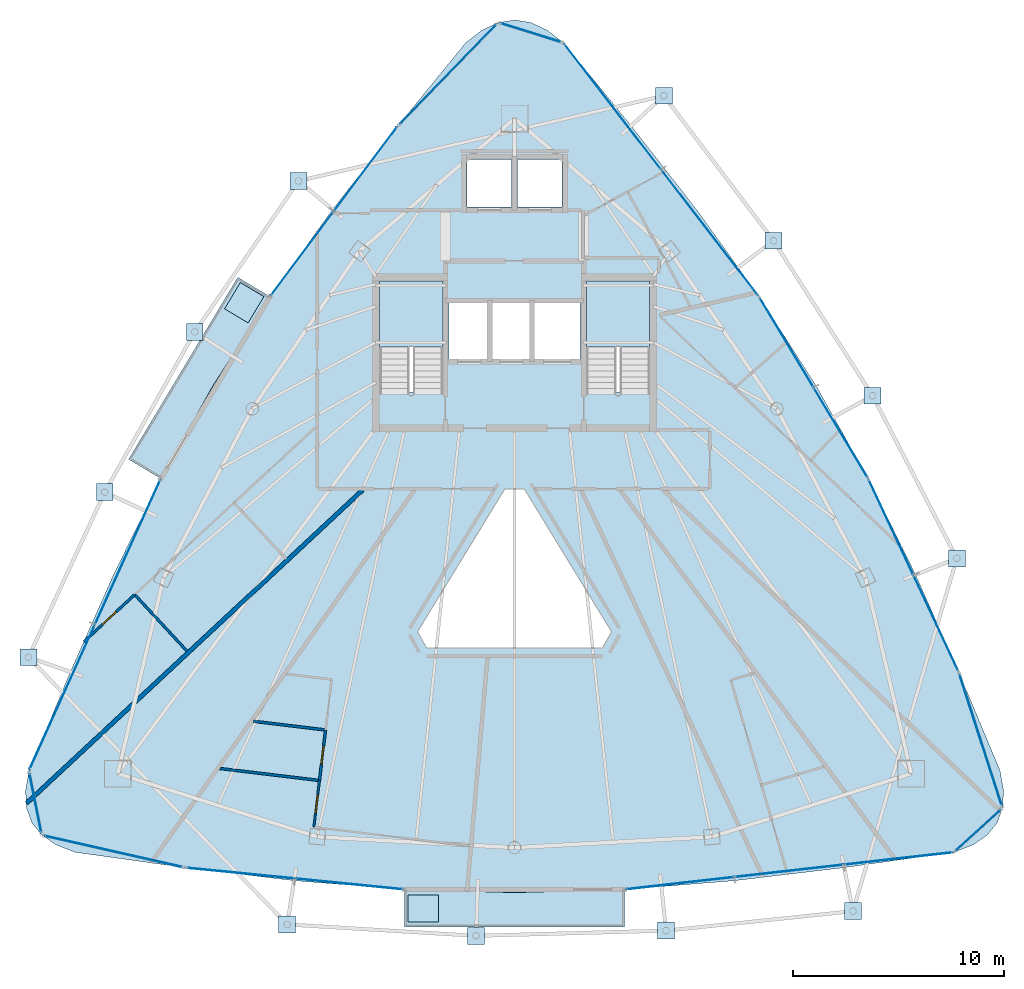
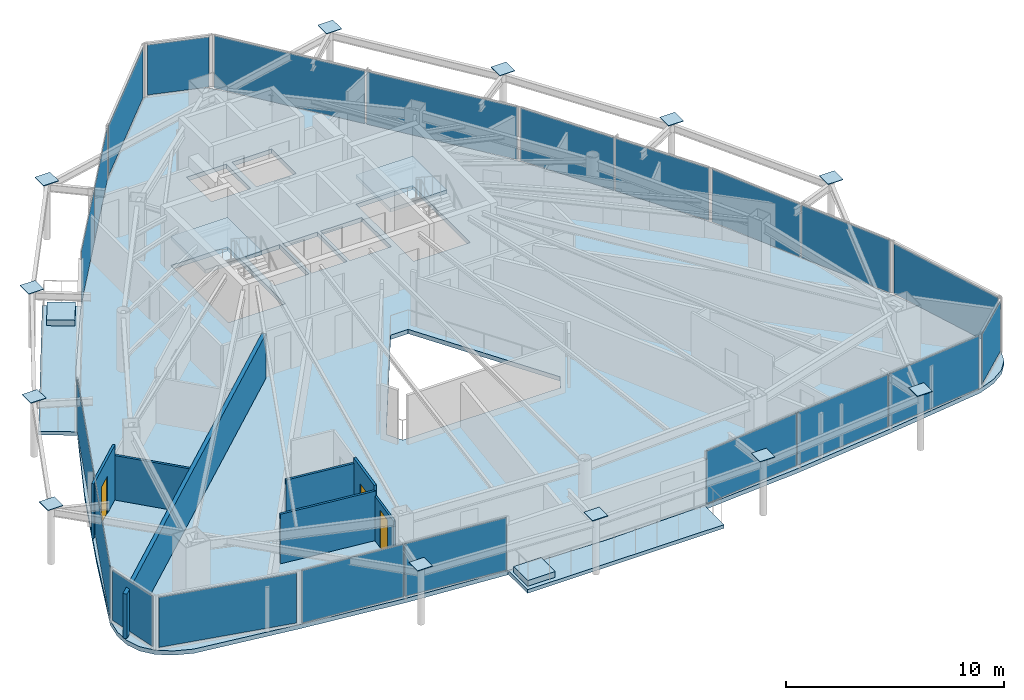
# One storey, part 26 of 32: 33 plates, 7 slabs, 7 walls, 3 doors, 3 openings, 15 elements without a shape of their own.
"""IFC4 building model written with IfcOpenShell, lengths in metres."""

from ifc_helpers import new_model, si_unit, direction, frame, frame_2d, origin, origin_2d, place, context, subcontext, project, spatial, polyline, rectangle, outline, extrude, material, layer, layer_set, type_object, element, fill, aggregate, save


model = new_model("IFC4")

# Units and contexts
model_context = context("Model", 3, precision=1e-05, world=origin(), true_north=direction((0.0, 1.0)))
body_context = subcontext(model_context, "Body", "Model", "MODEL_VIEW")
ifc_project = project(units=[si_unit("LENGTHUNIT", "METRE"), si_unit("AREAUNIT", "SQUARE_METRE"), si_unit("VOLUMEUNIT", "CUBIC_METRE"), si_unit("PLANEANGLEUNIT", "RADIAN"), si_unit("MASSUNIT", "GRAM", prefix="KILO")], contexts=[model_context])

# Site, building, storey
site_placement = place(None, origin())
site = spatial("IfcSite", under=ifc_project, at=site_placement, CompositionType="ELEMENT")
building_placement = place(site_placement, origin())
building = spatial("IfcBuilding", under=site, at=building_placement, Name="Orvanel Arch Residences", CompositionType="ELEMENT")
storey_placement = place(building_placement, frame((0.0, 0.0, 222.800048828125)))
storey = spatial("IfcBuildingStorey", under=building, at=storey_placement, Name="L63", CompositionType="ELEMENT", Elevation=222.800048828125)

# Plates
ifc_material_1 = material(Name="Structural steel AS/NZS 3678 Grade 350", Category="steel")
ifc_layer_1 = layer(ifc_material_1, 0.031982421875)
ifc_layer_set_1 = layer_set([ifc_layer_1], Name="Structural steel AS/NZS 3678 Grade 350")
plate_type_1 = type_object("IfcPlateType", Name="PL-CAP-32", PredefinedType="SHEET", material=ifc_layer_set_1)
for number, where, z_axis, x_axis, name in (
    (1, (22.764892578125, 38.43994140625, 3.2841796875), (0.0, 0.0, 1.0), (1.0, 0.0, 0.0), "L63 hollow member end cap plate"),
    (2, (17.845947265625, 31.287109375, 3.2841796875), (0.0, 0.0, 1.0), (1.0, 0.0, 0.0), "L63 hollow member end cap plate"),
    (3, (13.575927734375, 23.68994140625, 3.2841796875), (0.0, 0.0, 1.0), (1.0, 0.0, 0.0), "L63 hollow member end cap plate"),
    (4, (9.9609375, 15.867919921875, 3.2841796875), (0.0, 0.0, 1.0), (1.0, 0.0, 0.0), "L63 hollow member end cap plate"),
    (5, (22.22412109375, 3.201904296875, 3.2841796875), (0.0, 0.0, 1.0), (1.0, 0.0, 0.0), "L63 hollow member end cap plate"),
    (6, (31.177978515625, 2.6640625, 3.2841796875), (0.0, 0.0, 1.0), (1.0, 0.0, 0.0), "L63 hollow member end cap plate"),
    (7, (40.178955078125, 2.909912109375, 3.2841796875), (0.0, 0.0, 1.0), (1.0, 0.0, 0.0), "L63 hollow member end cap plate"),
    (8, (49.0400390625, 3.83203125, 3.2841796875), (0.0, 0.0, 1.0), (1.0, 0.0, 0.0), "L63 hollow member end cap plate"),
    (9, (53.962890625, 20.555908203125, 3.2841796875), (0.0, 0.0, 1.0), (1.0, 0.0, 0.0), "L63 hollow member end cap plate"),
    (10, (49.968017578125, 28.262939453125, 3.2841796875), (0.0, 0.0, 1.0), (1.0, 0.0, 0.0), "L63 hollow member end cap plate"),
    (11, (45.27490234375, 35.60693359375, 3.2841796875), (0.0, 0.0, 1.0), (1.0, 0.0, 0.0), "L63 hollow member end cap plate"),
    (12, (40.076904296875, 42.47900390625, 3.2841796875), (0.0, 0.0, 1.0), (1.0, 0.0, 0.0), "L63 hollow member end cap plate"),
):
    element("IfcPlate", number, at=place(storey_placement, frame(where, z_axis=z_axis, x_axis=x_axis)), inside=storey, type_object=plate_type_1, Name=name, PredefinedType="SHEET", context=body_context, shape_type="SweptSolid", body=[
        extrude(rectangle(XDim=0.800048828125, YDim=0.800048828125, at=origin_2d()), origin(), (0.0, 0.0, 1.0), 0.031982421875),
    ])

# Curtain wall, plates
ifc_material_2 = material(Name="Bronze-anodised aluminium AA6063-T6", Category="aluminium")
ifc_layer_2 = layer(ifc_material_2, 0.175048828125)
ifc_layer_set_2 = layer_set([ifc_layer_2], Name="Bronze-anodised aluminium AA6063-T6")
curtain_wall_type_1 = type_object("IfcCurtainWallType", Name="CW4-HI-SYS", PredefinedType="NOTDEFINED", material=ifc_layer_set_2)
curtain_wall_1_placement = place(storey_placement, origin())
curtain_wall_1 = element("IfcCurtainWall", 13, at=curtain_wall_1_placement, inside=storey, type_object=curtain_wall_type_1, Name="L63 CW4-HI-SYS Unitised Curtain Wall", PredefinedType="NOTDEFINED")
ifc_material_3 = material(Name="Double-glazed solar-control low-E safety glass", Category="glass")
ifc_layer_3 = layer(ifc_material_3, 0.028076171875)
ifc_layer_set_3 = layer_set([ifc_layer_3], Name="Double-glazed solar-control low-E safety glass")
plate_type_2 = type_object("IfcPlateType", Name="PNL-GLZ-28", PredefinedType="CURTAIN_PANEL", material=ifc_layer_set_3)
plate_1_placement = place(storey_placement, frame((25.9365234375, 39.006103515625, 0.06005859375), z_axis=(0.0, 0.0, 1.0), x_axis=(-0.599364196559, -0.800476458044, 0.0)))
plate_1 = element("IfcPlate", 14, at=plate_1_placement, type_object=plate_type_2, Name="CW-S4 panel 1.1", PredefinedType="CURTAIN_PANEL", context=body_context, shape_type="SweptSolid", body=[
    extrude(rectangle(XDim=4.93701171875, YDim=0.028076171875, at=origin_2d()), origin(), (0.0, 0.0, 1.0), 2.93994140625),
])
plate_2_placement = place(storey_placement, frame((22.9384765625, 35.001953125, 0.06005859375), z_axis=(0.0, 0.0, 1.0), x_axis=(-0.599364196559, -0.800476458044, 0.0)))
plate_2 = element("IfcPlate", 15, at=plate_2_placement, type_object=plate_type_2, Name="CW-S4 panel 2.1", PredefinedType="CURTAIN_PANEL", context=body_context, shape_type="SweptSolid", body=[
    extrude(rectangle(XDim=4.93701171875, YDim=0.028076171875, at=origin_2d()), origin(), (0.0, 0.0, 1.0), 2.93994140625),
])
aggregate(curtain_wall_1, [plate_1, plate_2])

curtain_wall_2_placement = place(storey_placement, origin())
curtain_wall_2 = element("IfcCurtainWall", 16, at=curtain_wall_2_placement, inside=storey, type_object=curtain_wall_type_1, Name="L63 CW4-HI-SYS Unitised Curtain Wall", PredefinedType="NOTDEFINED")
plate_3_placement = place(storey_placement, frame((14.66259765625, 20.849365234375, 0.06005859375), z_axis=(0.0, 0.0, 1.0), x_axis=(-0.411344383709, -0.911480004164, 0.0)))
plate_3 = element("IfcPlate", 17, at=plate_3_placement, type_object=plate_type_2, Name="CW-S4 panel 1.1", PredefinedType="CURTAIN_PANEL", context=body_context, shape_type="SweptSolid", body=[
    extrude(rectangle(XDim=7.4765625, YDim=0.028076171875, at=origin_2d()), origin(), (0.0, 0.0, 1.0), 2.93994140625),
])
plate_4_placement = place(storey_placement, frame((11.560546875, 13.9755859375, 0.06005859375), z_axis=(0.0, 0.0, 1.0), x_axis=(-0.411344383709, -0.911480004164, 0.0)))
plate_4 = element("IfcPlate", 18, at=plate_4_placement, type_object=plate_type_2, Name="CW-S4 panel 2.1", PredefinedType="CURTAIN_PANEL", context=body_context, shape_type="SweptSolid", body=[
    extrude(rectangle(XDim=7.4765625, YDim=0.028076171875, at=origin_2d()), origin(), (0.0, 0.0, 1.0), 2.93994140625),
])
aggregate(curtain_wall_2, [plate_3, plate_4])

curtain_wall_3_placement = place(storey_placement, origin())
curtain_wall_3 = element("IfcCurtainWall", 19, at=curtain_wall_3_placement, inside=storey, type_object=curtain_wall_type_1, Name="L63 CW4-HI-SYS Unitised Curtain Wall", PredefinedType="NOTDEFINED")
plate_5_placement = place(storey_placement, frame((20.0126953125, 5.6318359375, 0.06005859375), z_axis=(0.0, 0.0, 1.0), x_axis=(0.995103474765, -0.098838628636, 0.0)))
plate_5 = element("IfcPlate", 20, at=plate_5_placement, type_object=plate_type_2, Name="CW-S4 panel 1.1", PredefinedType="CURTAIN_PANEL", context=body_context, shape_type="SweptSolid", body=[
    extrude(rectangle(XDim=5.113037109375, YDim=0.028076171875, at=origin_2d()), origin(), (0.0, 0.0, 1.0), 2.93994140625),
])
plate_6_placement = place(storey_placement, frame((25.165283203125, 5.1201171875, 0.06005859375), z_axis=(0.0, 0.0, 1.0), x_axis=(0.995103474765, -0.098838628636, 0.0)))
plate_6 = element("IfcPlate", 21, at=plate_6_placement, type_object=plate_type_2, Name="CW-S4 panel 2.1", PredefinedType="CURTAIN_PANEL", context=body_context, shape_type="SweptSolid", body=[
    extrude(rectangle(XDim=5.113037109375, YDim=0.028076171875, at=origin_2d()), origin(), (0.0, 0.0, 1.0), 2.93994140625),
])
aggregate(curtain_wall_3, [plate_5, plate_6])

curtain_wall_4_placement = place(storey_placement, origin())
curtain_wall_4 = element("IfcCurtainWall", 22, at=curtain_wall_4_placement, inside=storey, type_object=curtain_wall_type_1, Name="L63 CW4-HI-SYS Unitised Curtain Wall", PredefinedType="NOTDEFINED")
plate_7_placement = place(storey_placement, frame((40.838134765625, 5.15625, 0.06005859375), z_axis=(0.0, 0.0, 1.0), x_axis=(0.993676625705, 0.112279844711, 0.0)))
plate_7 = element("IfcPlate", 23, at=plate_7_placement, type_object=plate_type_2, Name="CW-S4 panel 1.1", PredefinedType="CURTAIN_PANEL", context=body_context, shape_type="SweptSolid", body=[
    extrude(rectangle(XDim=5.12744140625, YDim=0.028076171875, at=origin_2d()), origin(), (0.0, 0.0, 1.0), 2.93994140625),
])
plate_8_placement = place(storey_placement, frame((46.013916015625, 5.740966796875, 0.06005859375), z_axis=(0.0, 0.0, 1.0), x_axis=(0.993676625705, 0.112279844711, 0.0)))
plate_8 = element("IfcPlate", 24, at=plate_8_placement, type_object=plate_type_2, Name="CW-S4 panel 2.1", PredefinedType="CURTAIN_PANEL", context=body_context, shape_type="SweptSolid", body=[
    extrude(rectangle(XDim=5.16015625, YDim=0.028076171875, at=origin_2d()), origin(), (0.0, 0.0, 1.0), 2.93994140625),
])
plate_9_placement = place(storey_placement, frame((51.18994140625, 6.325927734375, 0.06005859375), z_axis=(0.0, 0.0, 1.0), x_axis=(0.993676625705, 0.112279844711, 0.0)))
plate_9 = element("IfcPlate", 25, at=plate_9_placement, type_object=plate_type_2, Name="CW-S4 panel 3.1", PredefinedType="CURTAIN_PANEL", context=body_context, shape_type="SweptSolid", body=[
    extrude(rectangle(XDim=5.12744140625, YDim=0.028076171875, at=origin_2d()), origin(), (0.0, 0.0, 1.0), 2.93994140625),
])
aggregate(curtain_wall_4, [plate_7, plate_8, plate_9])

curtain_wall_5_placement = place(storey_placement, origin())
curtain_wall_5 = element("IfcCurtainWall", 26, at=curtain_wall_5_placement, inside=storey, type_object=curtain_wall_type_1, Name="L63 CW4-HI-SYS Unitised Curtain Wall", PredefinedType="NOTDEFINED")
plate_10_placement = place(storey_placement, frame((52.96923828125, 17.49072265625, 0.06005859375), z_axis=(0.0, 0.0, 1.0), x_axis=(-0.424108203626, 0.905611523567, 0.0)))
plate_10 = element("IfcPlate", 27, at=plate_10_placement, type_object=plate_type_2, Name="CW-S4 panel 1.1", PredefinedType="CURTAIN_PANEL", context=body_context, shape_type="SweptSolid", body=[
    extrude(rectangle(XDim=4.937744140625, YDim=0.028076171875, at=origin_2d()), origin(), (0.0, 0.0, 1.0), 2.93994140625),
])
plate_11_placement = place(storey_placement, frame((50.84765625, 22.021240234375, 0.06005859375), z_axis=(0.0, 0.0, 1.0), x_axis=(-0.424108203626, 0.905611523567, 0.0)))
plate_11 = element("IfcPlate", 28, at=plate_11_placement, type_object=plate_type_2, Name="CW-S4 panel 2.1", PredefinedType="CURTAIN_PANEL", context=body_context, shape_type="SweptSolid", body=[
    extrude(rectangle(XDim=4.937744140625, YDim=0.028076171875, at=origin_2d()), origin(), (0.0, 0.0, 1.0), 2.93994140625),
])
aggregate(curtain_wall_5, [plate_10, plate_11])

curtain_wall_6_placement = place(storey_placement, origin())
curtain_wall_6 = element("IfcCurtainWall", 29, at=curtain_wall_6_placement, inside=storey, type_object=curtain_wall_type_1, Name="L63 CW4-HI-SYS Unitised Curtain Wall", PredefinedType="NOTDEFINED")
plate_12_placement = place(storey_placement, frame((48.45849609375, 26.512451171875, 0.06005859375), z_axis=(0.0, 0.0, 1.0), x_axis=(-0.514422349359, 0.857536965081, 0.0)))
plate_12 = element("IfcPlate", 30, at=plate_12_placement, type_object=plate_type_2, Name="CW-S4 panel 1.1", PredefinedType="CURTAIN_PANEL", context=body_context, shape_type="SweptSolid", body=[
    extrude(rectangle(XDim=4.9111328125, YDim=0.028076171875, at=origin_2d()), origin(), (0.0, 0.0, 1.0), 2.93994140625),
])
plate_13_placement = place(storey_placement, frame((45.898681640625, 30.779541015625, 0.06005859375), z_axis=(0.0, 0.0, 1.0), x_axis=(-0.514422349359, 0.857536965081, 0.0)))
plate_13 = element("IfcPlate", 31, at=plate_13_placement, type_object=plate_type_2, Name="CW-S4 panel 2.1", PredefinedType="CURTAIN_PANEL", context=body_context, shape_type="SweptSolid", body=[
    extrude(rectangle(XDim=4.9111328125, YDim=0.028076171875, at=origin_2d()), origin(), (0.0, 0.0, 1.0), 2.93994140625),
])
aggregate(curtain_wall_6, [plate_12, plate_13])

curtain_wall_7_placement = place(storey_placement, origin())
curtain_wall_7 = element("IfcCurtainWall", 32, at=curtain_wall_7_placement, inside=storey, type_object=curtain_wall_type_1, Name="L63 CW4-HI-SYS Unitised Curtain Wall", PredefinedType="NOTDEFINED")
plate_14_placement = place(storey_placement, frame((42.258056640625, 35.98583984375, 0.06005859375), z_axis=(0.0, 0.0, 1.0), x_axis=(-0.610552723467, 0.791975613177, 0.0)))
plate_14 = element("IfcPlate", 33, at=plate_14_placement, type_object=plate_type_2, Name="CW-S4 panel 1.1", PredefinedType="CURTAIN_PANEL", context=body_context, shape_type="SweptSolid", body=[
    extrude(rectangle(XDim=7.47607421875, YDim=0.028076171875, at=origin_2d()), origin(), (0.0, 0.0, 1.0), 2.93994140625),
])
plate_15_placement = place(storey_placement, frame((37.65380859375, 41.958251953125, 0.06005859375), z_axis=(0.0, 0.0, 1.0), x_axis=(-0.610552723467, 0.791975613177, 0.0)))
plate_15 = element("IfcPlate", 34, at=plate_15_placement, type_object=plate_type_2, Name="CW-S4 panel 2.1", PredefinedType="CURTAIN_PANEL", context=body_context, shape_type="SweptSolid", body=[
    extrude(rectangle(XDim=7.47607421875, YDim=0.028076171875, at=origin_2d()), origin(), (0.0, 0.0, 1.0), 2.93994140625),
])
aggregate(curtain_wall_7, [plate_14, plate_15])

# Curtain wall, plate
ifc_layer_4 = layer(ifc_material_2, 0.18994140625)
ifc_layer_set_4 = layer_set([ifc_layer_4], Name="Bronze-anodised aluminium AA6063-T6")
curtain_wall_type_2 = type_object("IfcCurtainWallType", Name="CW5-CRN-SYS", PredefinedType="NOTDEFINED", material=ifc_layer_set_4)
curtain_wall_8_placement = place(storey_placement, origin())
curtain_wall_8 = element("IfcCurtainWall", 35, at=curtain_wall_8_placement, inside=storey, type_object=curtain_wall_type_2, Name="L63 CW5-CRN-SYS Unitised Curtain Wall", PredefinedType="NOTDEFINED")
ifc_layer_5 = layer(ifc_material_3, 0.031982421875)
ifc_layer_set_5 = layer_set([ifc_layer_5], Name="Double-glazed solar-control low-E safety glass")
plate_type_3 = type_object("IfcPlateType", Name="PNL-GLZ-32", PredefinedType="CURTAIN_PANEL", material=ifc_layer_set_5)
plate_16_placement = place(storey_placement, frame((33.7734375, 45.467529296875, 0.1298828125), z_axis=(0.0, 0.0, 1.0), x_axis=(-0.954807511181, 0.297224858639, 0.0)))
plate_16 = element("IfcPlate", 36, at=plate_16_placement, type_object=plate_type_3, Name="CW-S5 panel 1.1", PredefinedType="CURTAIN_PANEL", context=body_context, shape_type="SweptSolid", body=[
    extrude(rectangle(XDim=2.899658203125, YDim=0.031982421875, at=origin_2d()), origin(), (0.0, 0.0, 1.0), 2.800048828125),
])
aggregate(curtain_wall_8, [plate_16])

curtain_wall_9_placement = place(storey_placement, origin())
curtain_wall_9 = element("IfcCurtainWall", 37, at=curtain_wall_9_placement, inside=storey, type_object=curtain_wall_type_2, Name="L63 CW5-CRN-SYS Unitised Curtain Wall", PredefinedType="NOTDEFINED")
plate_17_placement = place(storey_placement, frame((29.846923828125, 43.49951171875, 0.1298828125), z_axis=(0.0, 0.0, 1.0), x_axis=(-0.696798671558, -0.717266764401, 0.0)))
plate_17 = element("IfcPlate", 38, at=plate_17_placement, type_object=plate_type_3, Name="CW-S5 panel 1.1", PredefinedType="CURTAIN_PANEL", context=body_context, shape_type="SweptSolid", body=[
    extrude(rectangle(XDim=6.490966796875, YDim=0.031982421875, at=origin_2d()), origin(), (0.0, 0.0, 1.0), 2.800048828125),
])
aggregate(curtain_wall_9, [plate_17])

curtain_wall_10_placement = place(storey_placement, origin())
curtain_wall_10 = element("IfcCurtainWall", 39, at=curtain_wall_10_placement, inside=storey, type_object=curtain_wall_type_2, Name="L63 CW5-CRN-SYS Unitised Curtain Wall", PredefinedType="NOTDEFINED")
plate_18_placement = place(storey_placement, frame((10.29296875, 8.9609375, 0.1298828125), z_axis=(0.0, 0.0, 1.0), x_axis=(0.195491601364, -0.980705375633, 0.0)))
plate_18 = element("IfcPlate", 40, at=plate_18_placement, type_object=plate_type_3, Name="CW-S5 panel 1.1", PredefinedType="CURTAIN_PANEL", context=body_context, shape_type="SweptSolid", body=[
    extrude(rectangle(XDim=2.779296875, YDim=0.031982421875, at=origin_2d()), origin(), (0.0, 0.0, 1.0), 2.800048828125),
])
aggregate(curtain_wall_10, [plate_18])

curtain_wall_11_placement = place(storey_placement, origin())
curtain_wall_11 = element("IfcCurtainWall", 41, at=curtain_wall_11_placement, inside=storey, type_object=curtain_wall_type_2, Name="L63 CW5-CRN-SYS Unitised Curtain Wall", PredefinedType="NOTDEFINED")
plate_19_placement = place(storey_placement, frame((13.990966796875, 6.662109375, 0.1298828125), z_axis=(0.0, 0.0, 1.0), x_axis=(0.975232163549, -0.221183695553, 0.0)))
plate_19 = element("IfcPlate", 42, at=plate_19_placement, type_object=plate_type_3, Name="CW-S5 panel 1.1", PredefinedType="CURTAIN_PANEL", context=body_context, shape_type="SweptSolid", body=[
    extrude(rectangle(XDim=6.617431640625, YDim=0.031982421875, at=origin_2d()), origin(), (0.0, 0.0, 1.0), 2.800048828125),
])
aggregate(curtain_wall_11, [plate_19])

curtain_wall_12_placement = place(storey_placement, origin())
curtain_wall_12 = element("IfcCurtainWall", 43, at=curtain_wall_12_placement, inside=storey, type_object=curtain_wall_type_2, Name="L63 CW5-CRN-SYS Unitised Curtain Wall", PredefinedType="NOTDEFINED")
plate_20_placement = place(storey_placement, frame((54.97705078125, 7.67138671875, 0.1298828125), z_axis=(0.0, 0.0, 1.0), x_axis=(0.740219127016, 0.672365707037, 0.0)))
plate_20 = element("IfcPlate", 44, at=plate_20_placement, type_object=plate_type_3, Name="CW-S5 panel 1.1", PredefinedType="CURTAIN_PANEL", context=body_context, shape_type="SweptSolid", body=[
    extrude(rectangle(XDim=2.7802734375, YDim=0.031982421875, at=origin_2d()), origin(), (0.0, 0.0, 1.0), 2.800048828125),
])
aggregate(curtain_wall_12, [plate_20])

curtain_wall_13_placement = place(storey_placement, origin())
curtain_wall_13 = element("IfcCurtainWall", 45, at=curtain_wall_13_placement, inside=storey, type_object=curtain_wall_type_2, Name="L63 CW5-CRN-SYS Unitised Curtain Wall", PredefinedType="NOTDEFINED")
plate_21_placement = place(storey_placement, frame((55.092041015625, 11.948974609375, 0.1298828125), z_axis=(0.0, 0.0, 1.0), x_axis=(-0.306604222357, 0.951837092592, 0.0)))
plate_21 = element("IfcPlate", 46, at=plate_21_placement, type_object=plate_type_3, Name="CW-S5 panel 1.1", PredefinedType="CURTAIN_PANEL", context=body_context, shape_type="SweptSolid", body=[
    extrude(rectangle(XDim=6.44482421875, YDim=0.031982421875, at=origin_2d()), origin(), (0.0, 0.0, 1.0), 2.800048828125),
])
aggregate(curtain_wall_13, [plate_21])

# Slabs
ifc_material_4 = material(Name="Concrete N40 (40 MPa)", Category="concrete")
ifc_layer_6 = layer(ifc_material_4, 0.199951171875)
ifc_layer_set_6 = layer_set([ifc_layer_6], Name="Concrete N40 (40 MPa)")
slab_type_1 = type_object("IfcSlabType", Name="SLB-BAL-200", PredefinedType="FLOOR", material=ifc_layer_set_6)
slab_1_placement = place(storey_placement, frame((0.0, 0.0, -0.199951171875)))
element("IfcSlab", 47, at=slab_1_placement, inside=storey, type_object=slab_type_1, Name="L63 Cantilevered Balcony Slab Face 1", PredefinedType="FLOOR", context=body_context, shape_type="SweptSolid", body=[
    extrude(outline(polyline([(19.882080078125, 33.873046875), (14.708984375, 25.2490234375), (16.235107421875, 24.333984375), (18.697021484375, 28.720947265625), (21.407958984375, 32.9580078125), (19.882080078125, 33.873046875)])), origin(), (0.0, 0.0, 1.0), 0.199951171875),
])
slab_2_placement = place(storey_placement, frame((0.0, 0.0, -0.199951171875)))
element("IfcSlab", 48, at=slab_2_placement, inside=storey, type_object=slab_type_1, Name="L63 Cantilevered Balcony Slab Face 2", PredefinedType="FLOOR", context=body_context, shape_type="SweptSolid", body=[
    extrude(outline(polyline([(27.7939453125, 3.0791015625), (38.2060546875, 3.0791015625), (38.2060546875, 4.85888671875), (33.0, 4.714111328125), (27.7939453125, 4.85888671875), (27.7939453125, 3.0791015625)])), origin(), (0.0, 0.0, 1.0), 0.199951171875),
])

# Stair, slab
ifc_material_5 = material(Name="Precast concrete N50 (50 MPa)", Category="concrete")
stair_type = type_object("IfcStairType", Name="STR-DOG-184", PredefinedType="USERDEFINED", material=ifc_material_5)
stair_1_placement = place(storey_placement, origin())
stair_1 = element("IfcStair", 49, at=stair_1_placement, inside=storey, type_object=stair_type, Name="L63 Fire-Isolated Core Exit Stair 1", ObjectType="TWO_RETURN_STAIR", PredefinedType="USERDEFINED")
ifc_layer_7 = layer(ifc_material_4, 0.199951171875)
ifc_layer_set_7 = layer_set([ifc_layer_7], Name="Concrete N40 (40 MPa)")
slab_type_2 = type_object("IfcSlabType", Name="SLB-LND-200", PredefinedType="LANDING", material=ifc_layer_set_7)
slab_3_placement = place(storey_placement, frame((0.0, 0.0, 1.449951171875)))
slab_3 = element("IfcSlab", 50, at=slab_3_placement, type_object=slab_type_2, Name="ST-1 landing 1", PredefinedType="LANDING", context=body_context, shape_type="SweptSolid", body=[
    extrude(outline(polyline([(29.60009765625, 30.56005859375), (29.60009765625, 33.699951171875), (26.60009765625, 33.699951171875), (26.60009765625, 30.56005859375), (29.60009765625, 30.56005859375)])), origin(), (0.0, 0.0, 1.0), 0.199951171875),
])
aggregate(stair_1, [slab_3])

stair_2_placement = place(storey_placement, origin())
stair_2 = element("IfcStair", 51, at=stair_2_placement, inside=storey, type_object=stair_type, Name="L63 Fire-Isolated Core Exit Stair 2", ObjectType="TWO_RETURN_STAIR", PredefinedType="USERDEFINED")
slab_4_placement = place(storey_placement, frame((0.0, 0.0, 1.449951171875)))
slab_4 = element("IfcSlab", 52, at=slab_4_placement, type_object=slab_type_2, Name="ST-2 landing 1", PredefinedType="LANDING", context=body_context, shape_type="SweptSolid", body=[
    extrude(outline(polyline([(39.39990234375, 30.56005859375), (39.39990234375, 33.699951171875), (36.39990234375, 33.699951171875), (36.39990234375, 30.56005859375), (39.39990234375, 30.56005859375)])), origin(), (0.0, 0.0, 1.0), 0.199951171875),
])
aggregate(stair_2, [slab_4])

# Slabs
ifc_material_6 = material(Name="Structural architectural precast concrete N40 (40 MPa) planter", Category="concrete")
ifc_layer_8 = layer(ifc_material_6, 0.320068359375)
ifc_layer_set_8 = layer_set([ifc_layer_8], Name="Structural architectural precast concrete N40 (40 MPa) planter")
slab_type_3 = type_object("IfcSlabType", Name="SLB-PLN-320", PredefinedType="USERDEFINED", material=ifc_layer_set_8)
slab_5_placement = place(storey_placement, origin())
element("IfcSlab", 53, at=slab_5_placement, inside=storey, type_object=slab_type_3, Name="L63 Balcony TREE PLANTER Face 1", ObjectType="PLANTER", PredefinedType="USERDEFINED", context=body_context, shape_type="SweptSolid", body=[
    extrude(outline(polyline([(20.001953125, 33.6259765625), (19.256103515625, 32.383056640625), (20.37109375, 31.714111328125), (21.116943359375, 32.9580078125), (20.001953125, 33.6259765625)])), origin(), (0.0, 0.0, 1.0), 0.320068359375),
])
slab_6_placement = place(storey_placement, origin())
element("IfcSlab", 54, at=slab_6_placement, inside=storey, type_object=slab_type_3, Name="L63 Balcony TREE PLANTER Face 2", ObjectType="PLANTER", PredefinedType="USERDEFINED", context=body_context, shape_type="SweptSolid", body=[
    extrude(outline(polyline([(27.944091796875, 3.30908203125), (29.39501953125, 3.30908203125), (29.39501953125, 4.60888671875), (27.944091796875, 4.60888671875), (27.944091796875, 3.30908203125)])), origin(), (0.0, 0.0, 1.0), 0.320068359375),
])
ifc_layer_9 = layer(ifc_material_4, 0.239990234375)
ifc_layer_set_9 = layer_set([ifc_layer_9], Name="Concrete N40 (40 MPa)")
slab_type_4 = type_object("IfcSlabType", Name="SLB-TYP-240", PredefinedType="FLOOR", material=ifc_layer_set_9)
slab_7_placement = place(storey_placement, frame((0.0, 0.0, -0.239990234375)))
element("IfcSlab", 55, at=slab_7_placement, inside=storey, type_object=slab_type_4, Name="L63 Tower Floor Slab", PredefinedType="FLOOR", context=body_context, shape_type="SweptSolid", body=[
    extrude(outline(polyline([(35.320068359375, 44.986083984375), (34.5458984375, 45.587890625), (33.77294921875, 45.948974609375), (33.0, 46.069091796875), (32.22705078125, 45.948974609375), (31.4541015625, 45.587890625), (30.679931640625, 44.986083984375), (27.467041015625, 41.050048828125), (24.35009765625, 37.056884765625), (21.407958984375, 32.9580078125), (18.697021484375, 28.720947265625), (16.235107421875, 24.333984375), (14.00390625, 19.80908203125), (11.947998046875, 15.177978515625), (9.988037109375, 10.490966796875), (9.822021484375, 9.544921875), (9.867919921875, 8.719970703125), (10.126953125, 8.01611328125), (10.597900390625, 7.430908203125), (11.281982421875, 6.967041015625), (12.177978515625, 6.623046875), (17.384033203125, 5.89306640625), (22.589111328125, 5.27294921875), (27.7939453125, 4.85888671875), (33.0, 4.714111328125), (38.2060546875, 4.85888671875), (43.410888671875, 5.27294921875), (48.615966796875, 5.89306640625), (53.822021484375, 6.623046875), (54.718017578125, 6.967041015625), (55.402099609375, 7.430908203125), (55.873046875, 8.01611328125), (56.132080078125, 8.719970703125), (56.177978515625, 9.544921875), (56.011962890625, 10.490966796875), (54.052001953125, 15.177978515625), (51.99609375, 19.80908203125), (49.764892578125, 24.333984375), (47.302978515625, 28.720947265625), (44.592041015625, 32.9580078125), (41.64990234375, 37.056884765625), (38.532958984375, 41.050048828125), (35.320068359375, 44.986083984375)]), holes=[polyline([(26.60009765625, 28.429931640625), (26.60009765625, 33.699951171875), (29.60009765625, 33.699951171875), (29.60009765625, 28.429931640625), (26.60009765625, 28.429931640625)]), polyline([(36.39990234375, 28.429931640625), (36.39990234375, 33.699951171875), (39.39990234375, 33.699951171875), (39.39990234375, 28.429931640625), (36.39990234375, 28.429931640625)]), polyline([(29.89990234375, 32.64990234375), (31.75, 32.64990234375), (31.75, 29.949951171875), (29.89990234375, 29.949951171875), (29.89990234375, 32.64990234375)]), polyline([(31.89990234375, 32.64990234375), (33.75, 32.64990234375), (33.75, 29.949951171875), (31.89990234375, 29.949951171875), (31.89990234375, 32.64990234375)]), polyline([(33.89990234375, 32.64990234375), (36.10009765625, 32.64990234375), (36.10009765625, 29.949951171875), (33.89990234375, 29.949951171875), (33.89990234375, 32.64990234375)]), polyline([(30.75, 39.449951171875), (32.85009765625, 39.449951171875), (32.85009765625, 37.199951171875), (30.75, 37.199951171875), (30.75, 39.449951171875)]), polyline([(33.14990234375, 39.449951171875), (35.25, 39.449951171875), (35.25, 37.199951171875), (33.14990234375, 37.199951171875), (33.14990234375, 39.449951171875)]), polyline([(37.60009765625, 17.074951171875), (37.172119140625, 16.31201171875), (28.827880859375, 16.31201171875), (28.39990234375, 17.074951171875), (32.533935546875, 23.8369140625), (33.466064453125, 23.8369140625), (37.60009765625, 17.074951171875)])]), origin(), (0.0, 0.0, 1.0), 0.239990234375),
])

# Wall
ifc_material_7 = material(Name="Fire-rated plasterboard lined steel stud partition", Category="steel")
ifc_layer_10 = layer(ifc_material_7, 0.199951171875)
ifc_layer_set_10 = layer_set([ifc_layer_10], Name="Fire-rated plasterboard lined steel stud partition")
wall_type_1 = type_object("IfcWallType", Name="W-DEM-200", PredefinedType="PARTITIONING", material=ifc_layer_set_10)
wall_1_placement = place(storey_placement, frame((25.799072265625, 23.7900390625, 0.0), z_axis=(0.0, 0.0, 1.0), x_axis=(-0.731584830333, -0.681750420629, 0.0)))
element("IfcWall", 56, at=wall_1_placement, inside=storey, type_object=wall_type_1, Name="L63 Inter-Tenancy Acoustic Demising Wall", PredefinedType="PARTITIONING", context=body_context, shape_type="SweptSolid", body=[
    extrude(rectangle(XDim=21.776123046875, YDim=0.199951171875, at=frame_2d((10.88818359375, 0.0))), origin(), (0.0, 0.0, 1.0), 2.491943359375),
])

# Wall, opening, door
ifc_material_8 = material(Name="Acoustic plasterboard lined twin-stud partition", Category="gypsum")
ifc_layer_11 = layer(ifc_material_8, 0.10009765625)
ifc_layer_set_11 = layer_set([ifc_layer_11], Name="Acoustic plasterboard lined twin-stud partition")
wall_type_2 = type_object("IfcWallType", Name="W-INT-100", PredefinedType="PARTITIONING", material=ifc_layer_set_11)
wall_2_placement = place(storey_placement, frame((23.489013671875, 7.81689453125, 0.0), z_axis=(0.0, 0.0, 1.0), x_axis=(0.119063005136, 0.992886700892, 0.0)))
wall_2 = element("IfcWall", 57, at=wall_2_placement, inside=storey, type_object=wall_type_2, Name="L63 Studio A Internal Partition", PredefinedType="PARTITIONING", context=body_context, shape_type="SweptSolid", body=[
    extrude(rectangle(XDim=2.224853515625, YDim=0.10009765625, at=frame_2d((1.1123046875, 0.0))), origin(), (0.0, 0.0, 1.0), 2.491943359375),
])
opening_1_placement = place(wall_2_placement, frame((0.672119140625, 0.0, 0.0)))
opening_1 = element("IfcOpeningElement", 58, at=opening_1_placement, cuts=wall_2, Name="Opening DI-088", PredefinedType="OPENING", context=body_context, shape_type="SweptSolid", body=[
    extrude(rectangle(XDim=0.8798828125, YDim=2.10009765625, at=frame_2d((0.43994140625, 1.050048828125))), frame((0.0, 0.06005859375, 0.0), z_axis=(0.0, -1.0, 0.0), x_axis=(1.0, 0.0, 0.0)), (0.0, 0.0, 1.0), 0.1201171875),
])
ifc_material_9 = material(Name="Solid-core European oak veneer fire door leaf", Category="wood")
door_type = type_object("IfcDoorType", Name="DR-INT-880", OperationType="NOTDEFINED", PredefinedType="DOOR", material=ifc_material_9)
door_1_placement = place(opening_1_placement, origin())
door_1 = element("IfcDoor", 59, at=door_1_placement, inside=storey, type_object=door_type, Name="DR-L63-A-OFC2 L63 Studio A Home Work Office 2 Door", OperationType="SINGLE_SWING_LEFT", OverallHeight=2.10009765625, OverallWidth=0.8798828125, PredefinedType="DOOR", context=body_context, shape_type="SweptSolid", body=[
    extrude(rectangle(XDim=0.8798828125, YDim=2.10009765625, at=frame_2d((0.43994140625, 1.050048828125))), frame((0.0, 0.02490234375, 0.0), z_axis=(0.0, -1.0, 0.0), x_axis=(1.0, 0.0, 0.0)), (0.0, 0.0, 1.0), 0.050048828125),
])
fill(opening_1, door_1)

ifc_layer_12 = layer(ifc_material_8, 0.1201171875)
ifc_layer_set_12 = layer_set([ifc_layer_12], Name="Acoustic plasterboard lined twin-stud partition")
wall_type_3 = type_object("IfcWallType", Name="W-WET-120", PredefinedType="PARTITIONING", material=ifc_layer_set_12)
wall_3_placement = place(storey_placement, frame((23.75390625, 10.02587890625, 0.0), z_axis=(0.0, 0.0, 1.0), x_axis=(0.119472593193, 0.992837499028, 0.0)))
wall_3 = element("IfcWall", 60, at=wall_3_placement, inside=storey, type_object=wall_type_3, Name="L63 Studio A Internal Partition", PredefinedType="PARTITIONING", context=body_context, shape_type="SweptSolid", body=[
    extrude(rectangle(XDim=2.411376953125, YDim=0.1201171875, at=frame_2d((1.20556640625, 0.0))), origin(), (0.0, 0.0, 1.0), 3.06005859375),
])
opening_2_placement = place(wall_3_placement, frame((0.76611328125, 0.0, 0.0)))
opening_2 = element("IfcOpeningElement", 61, at=opening_2_placement, cuts=wall_3, Name="Opening DI-088", PredefinedType="OPENING", context=body_context, shape_type="SweptSolid", body=[
    extrude(rectangle(XDim=0.8798828125, YDim=2.10009765625, at=frame_2d((0.43994140625, 1.050048828125))), frame((0.0, 0.070068359375, 0.0), z_axis=(0.0, -1.0, 0.0), x_axis=(1.0, 0.0, 0.0)), (0.0, 0.0, 1.0), 0.14013671875),
])
door_2_placement = place(opening_2_placement, origin())
door_2 = element("IfcDoor", 62, at=door_2_placement, inside=storey, type_object=door_type, Name="DR-L63-A-KIT L63 Studio A Kitchenette Door", OperationType="SINGLE_SWING_LEFT", OverallHeight=2.10009765625, OverallWidth=0.8798828125, PredefinedType="DOOR", context=body_context, shape_type="SweptSolid", body=[
    extrude(rectangle(XDim=0.8798828125, YDim=2.10009765625, at=frame_2d((0.43994140625, 1.050048828125))), frame((0.0, 0.02490234375, 0.0), z_axis=(0.0, -1.0, 0.0), x_axis=(1.0, 0.0, 0.0)), (0.0, 0.0, 1.0), 0.050048828125),
])
fill(opening_2, door_2)

# Walls
wall_4_placement = place(storey_placement, frame((24.0419921875, 12.419921875, 0.0), z_axis=(0.0, 0.0, 1.0), x_axis=(-0.992809391247, 0.119705942421, 0.0)))
element("IfcWall", 63, at=wall_4_placement, inside=storey, type_object=wall_type_3, Name="L63 Studio A Bathroom Partition", PredefinedType="PARTITIONING", context=body_context, shape_type="SweptSolid", body=[
    extrude(rectangle(XDim=3.450927734375, YDim=0.1201171875, at=frame_2d((1.7255859375, 0.0))), origin(), (0.0, 0.0, 1.0), 2.77294921875),
])
wall_5_placement = place(storey_placement, frame((23.75390625, 10.02587890625, 0.0), z_axis=(0.0, 0.0, 1.0), x_axis=(-0.992834006213, 0.1195016155, 0.0)))
element("IfcWall", 64, at=wall_5_placement, inside=storey, type_object=wall_type_3, Name="L63 Studio A Internal Partition", PredefinedType="PARTITIONING", context=body_context, shape_type="SweptSolid", body=[
    extrude(rectangle(XDim=4.754150390625, YDim=0.1201171875, at=frame_2d((2.376953125, 0.0))), origin(), (0.0, 0.0, 1.0), 2.77294921875),
])

# Wall, opening, door
wall_6_placement = place(storey_placement, frame((14.998046875, 18.833984375, 0.0), z_axis=(0.0, 0.0, 1.0), x_axis=(-0.733840210512, -0.679322121998, 0.0)))
wall_6 = element("IfcWall", 65, at=wall_6_placement, inside=storey, type_object=wall_type_3, Name="L63 Studio D Internal Partition", PredefinedType="PARTITIONING", context=body_context, shape_type="SweptSolid", body=[
    extrude(rectangle(XDim=3.286865234375, YDim=0.1201171875, at=frame_2d((1.6435546875, 0.0))), origin(), (0.0, 0.0, 1.0), 3.06005859375),
])
opening_3_placement = place(wall_6_placement, frame((1.202880859375, 0.0, 0.0)))
opening_3 = element("IfcOpeningElement", 66, at=opening_3_placement, cuts=wall_6, Name="Opening DI-088", PredefinedType="OPENING", context=body_context, shape_type="SweptSolid", body=[
    extrude(rectangle(XDim=0.8798828125, YDim=2.10009765625, at=frame_2d((0.43994140625, 1.050048828125))), frame((0.0, 0.070068359375, 0.0), z_axis=(0.0, -1.0, 0.0), x_axis=(1.0, 0.0, 0.0)), (0.0, 0.0, 1.0), 0.14013671875),
])
door_3_placement = place(opening_3_placement, origin())
door_3 = element("IfcDoor", 67, at=door_3_placement, inside=storey, type_object=door_type, Name="DR-L63-D-KIT L63 Studio D Kitchenette Door", OperationType="SINGLE_SWING_LEFT", OverallHeight=2.10009765625, OverallWidth=0.8798828125, PredefinedType="DOOR", context=body_context, shape_type="SweptSolid", body=[
    extrude(rectangle(XDim=0.8798828125, YDim=2.10009765625, at=frame_2d((0.43994140625, 1.050048828125))), frame((0.0, 0.02490234375, 0.0), z_axis=(0.0, -1.0, 0.0), x_axis=(1.0, 0.0, 0.0)), (0.0, 0.0, 1.0), 0.050048828125),
])
fill(opening_3, door_3)

# Wall
wall_7_placement = place(storey_placement, frame((14.998046875, 18.833984375, 0.0), z_axis=(0.0, 0.0, 1.0), x_axis=(0.67920675179, -0.733946992856, 0.0)))
element("IfcWall", 68, at=wall_7_placement, inside=storey, type_object=wall_type_3, Name="L63 Studio D Internal Partition", PredefinedType="PARTITIONING", context=body_context, shape_type="SweptSolid", body=[
    extrude(rectangle(XDim=3.65283203125, YDim=0.1201171875, at=frame_2d((1.826416015625, 0.0))), origin(), (0.0, 0.0, 1.0), 2.491943359375),
])

save(model, "model.ifc")
